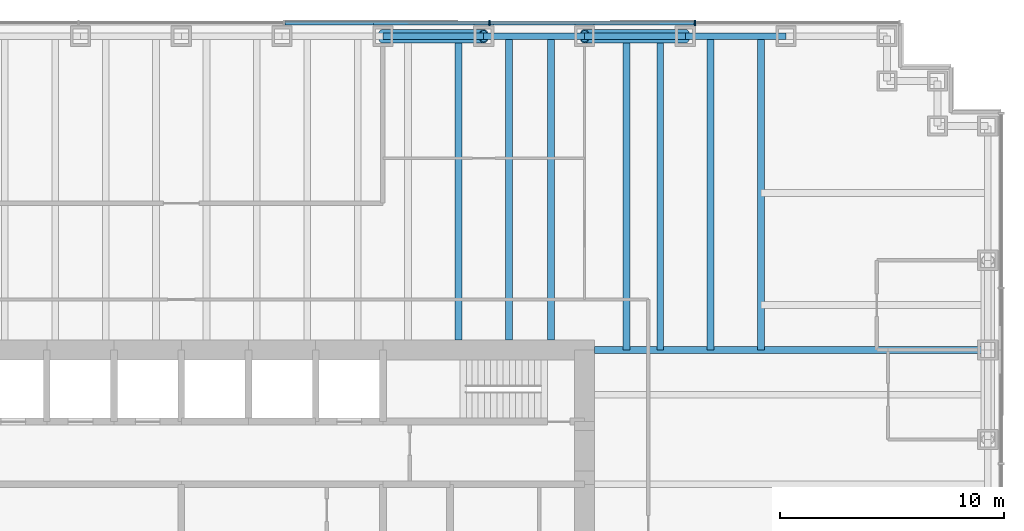
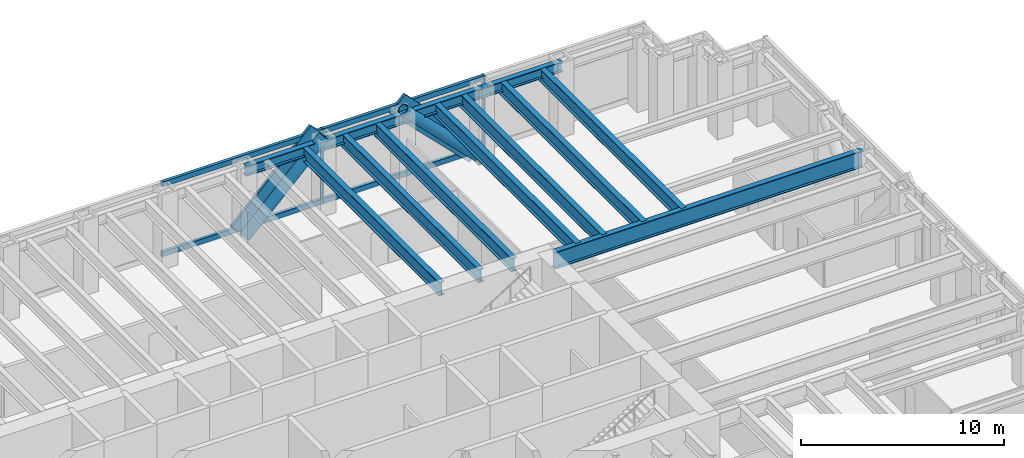
# One storey, part 6 of 13: 12 beams, 10 members, 1 element without a shape of its own.
"""IFC4 building model written with IfcOpenShell, lengths in metres."""

from ifc_helpers import new_model, si_unit, direction, frame, origin, origin_2d, place, context, subcontext, project, spatial, rectangle, hollow_circle, i_section, extrude, material, material_profile, profile_set, type_object, element, aggregate, save


model = new_model("IFC4")

# Units and contexts
model_context = context("Model", 3, precision=1e-05, world=origin(), true_north=direction((0.0, 1.0)))
body_context = subcontext(model_context, "Body", "Model", "MODEL_VIEW")
ifc_project = project(units=[si_unit("LENGTHUNIT", "METRE"), si_unit("AREAUNIT", "SQUARE_METRE"), si_unit("VOLUMEUNIT", "CUBIC_METRE"), si_unit("PLANEANGLEUNIT", "RADIAN"), si_unit("MASSUNIT", "GRAM", prefix="KILO")], contexts=[model_context])

# Site, building, storey
site_placement = place(None, origin())
site = spatial("IfcSite", under=ifc_project, at=site_placement, CompositionType="ELEMENT")
building_placement = place(site_placement, origin())
building = spatial("IfcBuilding", under=site, at=building_placement, Name="Rheinbord Bourse Tower", CompositionType="ELEMENT")
storey_placement = place(building_placement, frame((0.0, 0.0, 72.5)))
storey = spatial("IfcBuildingStorey", under=building, at=storey_placement, Name="L15", CompositionType="ELEMENT", Elevation=72.5)

# Curtain wall, members
ifc_material_1 = material(Name="Dark glass and black aluminium", Category="aluminium")
curtain_wall_type = type_object("IfcCurtainWallType", Name="CW1 DARK GLASS CURTAIN WALL", PredefinedType="USERDEFINED", material=ifc_material_1)
curtain_wall_placement = place(storey_placement, origin())
curtain_wall = element("IfcCurtainWall", 1, at=curtain_wall_placement, inside=storey, type_object=curtain_wall_type, Name="Curtain wall CW1 N L15", ObjectType="UNITISED CURTAIN WALL", PredefinedType="USERDEFINED")
ifc_material_2 = material(Name="Black anodised aluminium", Category="aluminium")
ifc_material_profile_1 = material_profile(ifc_material_2, rectangle(XDim=0.179931640625, YDim=1.2099609375, at=origin_2d()), Name="CW1 DIAGONAL MULLION 1210x180")
ifc_profile_set_1 = profile_set([ifc_material_profile_1], Name="Black anodised aluminium")
member_type_1 = type_object("IfcMemberType", Name="CW1 BLACK DIAGONAL MULLION", PredefinedType="USERDEFINED", material=ifc_profile_set_1)
member_1_placement = place(storey_placement, frame((58.5, 46.60009765625, 0.0), z_axis=(-0.707106781187, 0.0, 0.707106781187), x_axis=(0.0, -1.0, 0.0)))
member_1 = element("IfcMember", 2, at=member_1_placement, type_object=member_type_1, Name="CW1 diagonal mullion a", ObjectType="DIAGONAL MULLION", PredefinedType="USERDEFINED", context=body_context, shape_type="SweptSolid", body=[
    extrude(rectangle(XDim=0.179931640625, YDim=1.2099609375, at=origin_2d()), origin(), (0.0, 0.0, 1.0), 6.364013671875),
])
member_2_placement = place(storey_placement, frame((45.0, 46.60009765625, 0.0), z_axis=(0.707106781187, 0.0, 0.707106781187), x_axis=(0.0, 1.0, 0.0)))
member_2 = element("IfcMember", 3, at=member_2_placement, type_object=member_type_1, Name="CW1 diagonal mullion d", ObjectType="DIAGONAL MULLION", PredefinedType="USERDEFINED", context=body_context, shape_type="SweptSolid", body=[
    extrude(rectangle(XDim=0.179931640625, YDim=1.2099609375, at=origin_2d()), origin(), (0.0, 0.0, 1.0), 6.364013671875),
])
ifc_material_3 = material(Name="Black anodised aluminium", Category="aluminium")
ifc_material_profile_2 = material_profile(ifc_material_3, rectangle(XDim=0.25, YDim=0.080078125, at=origin_2d()), Name="CW1 MULLION 80x250")
ifc_profile_set_2 = profile_set([ifc_material_profile_2], Name="Black anodised aluminium")
member_type_2 = type_object("IfcMemberType", Name="CW1 BLACK MULLION", PredefinedType="MULLION", material=ifc_profile_set_2)
member_3_placement = place(storey_placement, frame((58.928466796875, 46.60009765625, 0.0), z_axis=(0.0, 0.0, 1.0), x_axis=(0.0, -1.0, 0.0)))
member_3 = element("IfcMember", 4, at=member_3_placement, type_object=member_type_2, Name="CW1 mullion 2", PredefinedType="MULLION", context=body_context, shape_type="SweptSolid", body=[
    extrude(rectangle(XDim=0.25, YDim=0.080078125, at=origin_2d()), origin(), (0.0, 0.0, 1.0), 4.5),
])
member_4_placement = place(storey_placement, frame((49.757080078125, 46.60009765625, 0.0), z_axis=(0.0, 0.0, 1.0), x_axis=(0.0, -1.0, 0.0)))
member_4 = element("IfcMember", 5, at=member_4_placement, type_object=member_type_2, Name="CW1 mullion 3", PredefinedType="MULLION", context=body_context, shape_type="SweptSolid", body=[
    extrude(rectangle(XDim=0.25, YDim=0.080078125, at=origin_2d()), origin(), (0.0, 0.0, 1.0), 4.5),
])
ifc_material_4 = material(Name="Black anodised aluminium", Category="aluminium")
ifc_material_profile_3 = material_profile(ifc_material_4, rectangle(XDim=0.179931640625, YDim=0.300048828125, at=origin_2d()), Name="CW1 TRANSOM 300x180")
ifc_profile_set_3 = profile_set([ifc_material_profile_3], Name="Black anodised aluminium")
member_type_3 = type_object("IfcMemberType", Name="CW1 BLACK TRANSOM", PredefinedType="USERDEFINED", material=ifc_profile_set_3)
member_5_placement = place(storey_placement, frame((58.888671875, 46.60009765625, 0.14990234375), z_axis=(-1.0, 0.0, 0.0), x_axis=(0.0, -1.0, 0.0)))
member_5 = element("IfcMember", 6, at=member_5_placement, type_object=member_type_3, Name="CW1 transom 2.1", ObjectType="TRANSOM", PredefinedType="USERDEFINED", context=body_context, shape_type="SweptSolid", body=[
    extrude(rectangle(XDim=0.179931640625, YDim=0.300048828125, at=origin_2d()), origin(), (0.0, 0.0, 1.0), 9.091552734375),
])
member_6_placement = place(storey_placement, frame((58.888671875, 46.60009765625, 4.35009765625), z_axis=(-1.0, 0.0, 0.0), x_axis=(0.0, -1.0, 0.0)))
member_6 = element("IfcMember", 7, at=member_6_placement, type_object=member_type_3, Name="CW1 transom 2.2", ObjectType="TRANSOM", PredefinedType="USERDEFINED", context=body_context, shape_type="SweptSolid", body=[
    extrude(rectangle(XDim=0.179931640625, YDim=0.300048828125, at=origin_2d()), origin(), (0.0, 0.0, 1.0), 9.091552734375),
])
member_7_placement = place(storey_placement, frame((49.717041015625, 46.60009765625, 0.14990234375), z_axis=(-1.0, 0.0, 0.0), x_axis=(0.0, -1.0, 0.0)))
member_7 = element("IfcMember", 8, at=member_7_placement, type_object=member_type_3, Name="CW1 transom 3.1", ObjectType="TRANSOM", PredefinedType="USERDEFINED", context=body_context, shape_type="SweptSolid", body=[
    extrude(rectangle(XDim=0.179931640625, YDim=0.300048828125, at=origin_2d()), origin(), (0.0, 0.0, 1.0), 9.09130859375),
])
member_8_placement = place(storey_placement, frame((49.717041015625, 46.60009765625, 4.35009765625), z_axis=(-1.0, 0.0, 0.0), x_axis=(0.0, -1.0, 0.0)))
member_8 = element("IfcMember", 9, at=member_8_placement, type_object=member_type_3, Name="CW1 transom 3.2", ObjectType="TRANSOM", PredefinedType="USERDEFINED", context=body_context, shape_type="SweptSolid", body=[
    extrude(rectangle(XDim=0.179931640625, YDim=0.300048828125, at=origin_2d()), origin(), (0.0, 0.0, 1.0), 9.09130859375),
])
aggregate(curtain_wall, [member_3, member_4, member_5, member_6, member_7, member_8, member_1, member_2])

# Beams
ifc_material_5 = material(Name="Steel S460", Category="steel")
ifc_material_profile_4 = material_profile(ifc_material_5, i_section(OverallWidth=0.300048828125, OverallDepth=0.800048828125, WebThickness=0.017578125, FlangeThickness=0.032958984375, at=origin_2d()), Name="HEB 800")
ifc_profile_set_4 = profile_set([ifc_material_profile_4], Name="Steel S460")
beam_type_1 = type_object("IfcBeamType", Name="FLOOR BEAM HEB 800", PredefinedType="BEAM", material=ifc_profile_set_4)
for number, where, z_axis, x_axis, name in (
    (10, (48.375, 46.0, 3.919921875), (0.0, -1.0, 0.0), (1.0, 0.0, 0.0), "Floor beam N-45b L16"),
    (11, (50.625, 46.0, 3.919921875), (0.0, -1.0, 0.0), (1.0, 0.0, 0.0), "Floor beam N-49.5a L16"),
    (12, (52.5, 46.0, 3.919921875), (0.0, -1.0, 0.0), (1.0, 0.0, 0.0), "Floor beam N-49.5b L16"),
):
    element("IfcBeam", number, at=place(storey_placement, frame(where, z_axis=z_axis, x_axis=x_axis)), inside=storey, type_object=beam_type_1, Name=name, PredefinedType="BEAM", context=body_context, shape_type="SweptSolid", body=[
        extrude(i_section(OverallWidth=0.300048828125, OverallDepth=0.800048828125, WebThickness=0.017578125, FlangeThickness=0.032958984375, at=origin_2d()), origin(), (0.0, 0.0, 1.0), 13.550048828125),
    ])
for number, where, z_axis, x_axis, name in (
    (13, (55.875, 46.0, 3.919921875), (0.0, -1.0, 0.0), (1.0, 0.0, 0.0), "Floor beam N-54a L16"),
    (14, (57.375, 46.0, 3.919921875), (0.0, -1.0, 0.0), (1.0, 0.0, 0.0), "Floor beam N-54b L16"),
    (15, (59.625, 46.0, 3.919921875), (0.0, -1.0, 0.0), (1.0, 0.0, 0.0), "Floor beam N-58.5a L16"),
    (16, (61.875, 46.0, 3.919921875), (0.0, -1.0, 0.0), (1.0, 0.0, 0.0), "Floor beam N-58.5b L16"),
):
    element("IfcBeam", number, at=place(storey_placement, frame(where, z_axis=z_axis, x_axis=x_axis)), inside=storey, type_object=beam_type_1, Name=name, PredefinedType="BEAM", context=body_context, shape_type="SweptSolid", body=[
        extrude(i_section(OverallWidth=0.300048828125, OverallDepth=0.800048828125, WebThickness=0.017578125, FlangeThickness=0.032958984375, at=origin_2d()), origin(), (0.0, 0.0, 1.0), 14.0),
    ])
ifc_material_6 = material(Name="Steel S460", Category="steel")
ifc_material_profile_5 = material_profile(ifc_material_6, i_section(OverallWidth=0.302001953125, OverallDepth=1.008056640625, WebThickness=0.02099609375, FlangeThickness=0.0400390625, at=origin_2d()), Name="HEM 1000")
ifc_profile_set_5 = profile_set([ifc_material_profile_5], Name="Steel S460")
beam_type_2 = type_object("IfcBeamType", Name="GIRDER HEM 1000", PredefinedType="BEAM", material=ifc_profile_set_5)
beam_placement = place(storey_placement, frame((54.449951171875, 32.0, 3.81591796875), z_axis=(1.0, 0.0, 0.0), x_axis=(0.0, 1.0, 0.0)))
element("IfcBeam", 17, at=beam_placement, inside=storey, type_object=beam_type_2, Name="Girder east 32 L16", PredefinedType="BEAM", context=body_context, shape_type="SweptSolid", body=[
    extrude(i_section(OverallWidth=0.302001953125, OverallDepth=1.008056640625, WebThickness=0.02099609375, FlangeThickness=0.0400390625, at=origin_2d()), origin(), (0.0, 0.0, 1.0), 17.550048828125),
])

# Members
ifc_material_7 = material(Name="Steel S460", Category="steel")
ifc_material_profile_6 = material_profile(ifc_material_7, hollow_circle(Radius=0.304931640625, WallThickness=0.050048828125, at=origin_2d()), Name="CHS 610x50")
ifc_profile_set_6 = profile_set([ifc_material_profile_6], Name="Steel S460")
member_type_4 = type_object("IfcMemberType", Name="MEGABRACE CHS 610x50", PredefinedType="BRACE", material=ifc_profile_set_6)
for number, where, z_axis, x_axis, name in (
    (18, (58.5, 46.0, 0.0), (-0.707106781187, 0.0, 0.707106781187), (0.0, -1.0, 0.0), "Megabrace N face line a L15"),
    (19, (45.0, 46.0, 0.0), (0.707106781187, 0.0, 0.707106781187), (0.0, 1.0, 0.0), "Megabrace N face line d L15"),
):
    element("IfcMember", number, at=place(storey_placement, frame(where, z_axis=z_axis, x_axis=x_axis)), inside=storey, type_object=member_type_4, Name=name, PredefinedType="BRACE", context=body_context, shape_type="SweptSolid", body=[
        extrude(hollow_circle(Radius=0.304931640625, WallThickness=0.050048828125, at=origin_2d()), origin(), (0.0, 0.0, 1.0), 6.364013671875),
    ])

# Beams
ifc_material_8 = material(Name="Steel S460", Category="steel")
ifc_material_profile_7 = material_profile(ifc_material_8, i_section(OverallWidth=0.304931640625, OverallDepth=0.6201171875, WebThickness=0.02099609375, FlangeThickness=0.0400390625, at=origin_2d()), Name="HEM 600")
ifc_profile_set_7 = profile_set([ifc_material_profile_7], Name="Steel S460")
beam_type_3 = type_object("IfcBeamType", Name="SPANDREL HEM 600", PredefinedType="SPANDREL", material=ifc_profile_set_7)
for number, where, z_axis, x_axis, name in (
    (20, (63.0, 46.0, 4.010009765625), (-1.0, 0.0, 0.0), (0.0, -1.0, 0.0), "Spandrel N-63-N-58.5 under L16"),
    (21, (58.5, 46.0, 4.010009765625), (-1.0, 0.0, 0.0), (0.0, -1.0, 0.0), "Spandrel N-58.5-N-54 under L16"),
    (22, (54.0, 46.0, 4.010009765625), (-1.0, 0.0, 0.0), (0.0, -1.0, 0.0), "Spandrel N-54-N-49.5 under L16"),
    (23, (49.5, 46.0, 4.010009765625), (-1.0, 0.0, 0.0), (0.0, -1.0, 0.0), "Spandrel N-49.5-N-45 under L16"),
):
    element("IfcBeam", number, at=place(storey_placement, frame(where, z_axis=z_axis, x_axis=x_axis)), inside=storey, type_object=beam_type_3, Name=name, PredefinedType="SPANDREL", context=body_context, shape_type="SweptSolid", body=[
        extrude(i_section(OverallWidth=0.304931640625, OverallDepth=0.6201171875, WebThickness=0.02099609375, FlangeThickness=0.0400390625, at=origin_2d()), origin(), (0.0, 0.0, 1.0), 4.5),
    ])

save(model, "model.ifc")
